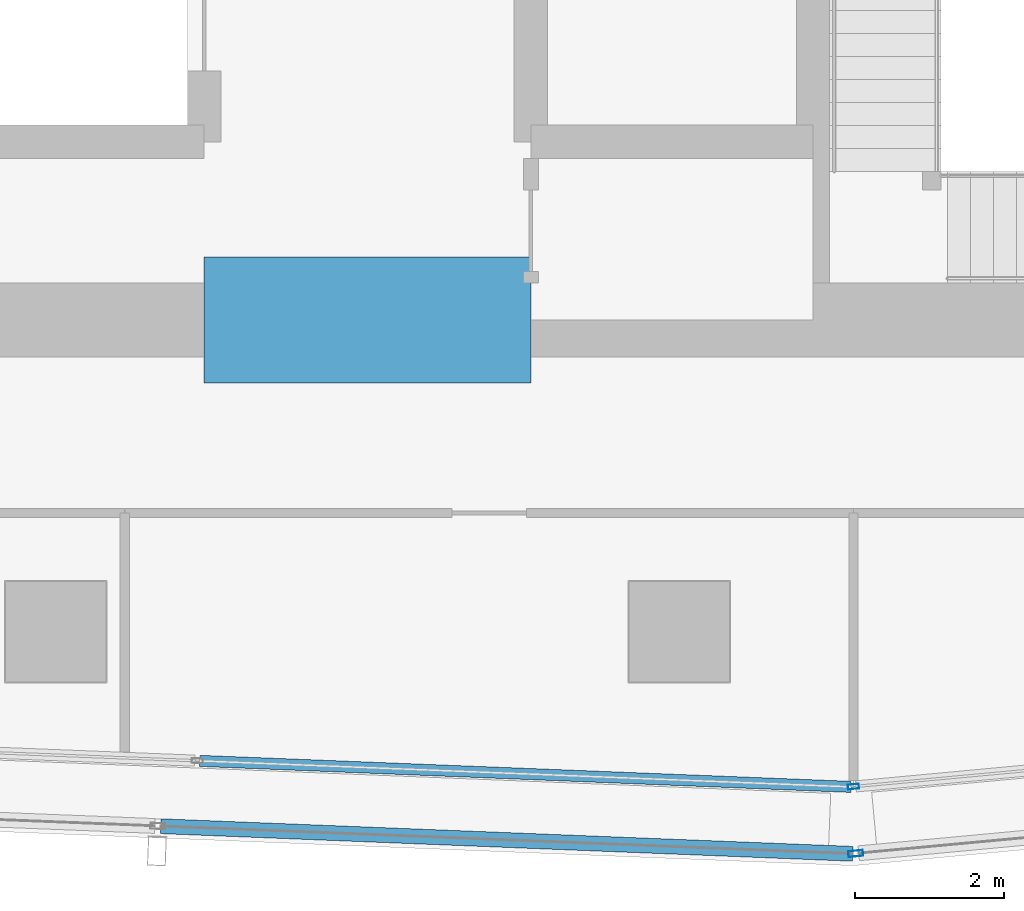
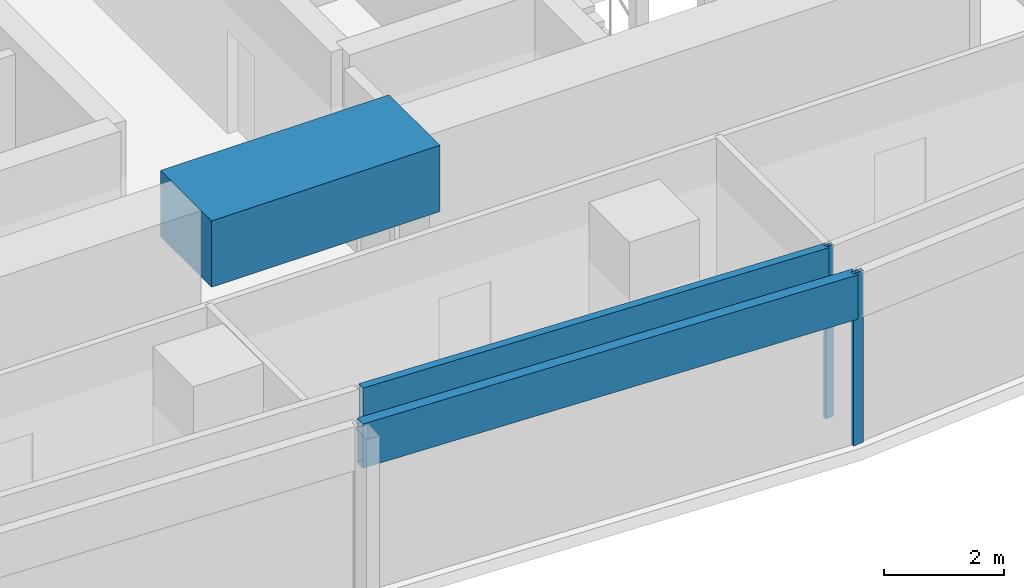
# One storey, part 10 of 38: 4 members, 1 beam, 4 elements without a shape of their own.
"""IFC4 building model written with IfcOpenShell, lengths in metres."""

import ifcopenshell
import ifcopenshell.guid

model = None  # the IFC model being written
_history = None  # IfcOwnerHistory: only IFC2X3 demands one
_inside = {}  # id of a spatial element -> (the spatial element, [elements in it])
_under = {}  # id of a project, library or spatial element -> (it, [spatial elements below it])
_declared = {}  # id of a project -> (the project, [libraries it declares])
_typed = {}  # id of a type object -> (the type object, [elements of that type])
_made_of = {}  # id of a material, layer set ... -> (it, [elements and type objects made of it])


def new_model(schema):
    """Start an empty IFC model of exactly this schema.

    Asked for "IFC4X3", IfcOpenShell would pick the latest addendum, in which some entities
    have other attributes; the version numbers below select the first issue.
    IFC2X3 requires an IfcOwnerHistory on every rooted entity: one is made here for all.
    """
    global model, _history
    if schema == "IFC4X3":
        model = ifcopenshell.file(schema_version=(4, 3, 0, 0))
    else:
        model = ifcopenshell.file(schema=schema)
    _inside.clear()
    _under.clear()
    _declared.clear()
    _typed.clear()
    _made_of.clear()
    _history = None
    if model.schema == "IFC2X3":
        org = make("IfcOrganization", Name="unknown")
        user = make(
            "IfcPersonAndOrganization",
            ThePerson=make("IfcPerson", FamilyName="unknown"),
            TheOrganization=org,
        )
        app = make(
            "IfcApplication",
            ApplicationDeveloper=org,
            Version="unknown",
            ApplicationFullName="unknown",
            ApplicationIdentifier="unknown",
        )
        _history = make(
            "IfcOwnerHistory",
            OwningUser=user,
            OwningApplication=app,
            ChangeAction="ADDED",
            CreationDate=0,
        )
    return model


def make(cls, **values):
    """One entity of the class cls with the attributes given. An attribute that is None is left unset."""
    return model.create_entity(
        cls, **{name: value for name, value in values.items() if value is not None}
    )


def rooted(cls, **values):
    """An entity with a GlobalId (a new one), such as an element, a storey or a relation."""
    return make(cls, GlobalId=ifcopenshell.guid.new(), OwnerHistory=_history, **values)


def si_unit(unit_type, name, prefix=None):
    """IfcSIUnit, for example si_unit("LENGTHUNIT", "METRE", prefix="MILLI")."""
    return make("IfcSIUnit", UnitType=unit_type, Prefix=prefix, Name=name)


def assignment(units):
    """IfcUnitAssignment: the units of a project."""
    return None if units is None else make("IfcUnitAssignment", Units=units)


def point(xyz):
    """IfcCartesianPoint."""
    return None if xyz is None else make("IfcCartesianPoint", Coordinates=xyz)


def direction(xyz):
    """IfcDirection."""
    return None if xyz is None else make("IfcDirection", DirectionRatios=xyz)


def frame(location, z_axis=None, x_axis=None):
    """IfcAxis2Placement3D, a coordinate frame: its origin and axes. An axis left out is left unset."""
    return make(
        "IfcAxis2Placement3D",
        Location=point(location),
        Axis=direction(z_axis),
        RefDirection=direction(x_axis),
    )


def frame_2d(location, x_axis=None):
    """IfcAxis2Placement2D, a coordinate frame in the plane: its origin and x axis."""
    return make(
        "IfcAxis2Placement2D", Location=point(location), RefDirection=direction(x_axis)
    )


def origin():
    """The frame at (0, 0, 0) with its axes left unset."""
    return frame((0.0, 0.0, 0.0))


def origin_2d():
    """The frame at (0, 0) in the plane with its x axis left unset."""
    return frame_2d((0.0, 0.0))


def place(relative_to, where):
    """IfcLocalPlacement: puts the frame where relative to a parent placement (None: the world)."""
    return make(
        "IfcLocalPlacement", PlacementRelTo=relative_to, RelativePlacement=where
    )


def context(
    kind, dimensions, precision=None, world=None, true_north=None, identifier=None
):
    """IfcGeometricRepresentationContext, for example the 3D "Model" context."""
    return make(
        "IfcGeometricRepresentationContext",
        ContextIdentifier=identifier,
        ContextType=kind,
        CoordinateSpaceDimension=dimensions,
        Precision=precision,
        WorldCoordinateSystem=world,
        TrueNorth=true_north,
    )


def subcontext(parent, identifier, kind, view, scale=None):
    """IfcGeometricRepresentationSubContext, for example "Body" below "Model"."""
    return make(
        "IfcGeometricRepresentationSubContext",
        ContextIdentifier=identifier,
        ContextType=kind,
        ParentContext=parent,
        TargetScale=scale,
        TargetView=view,
    )


def project(units=None, contexts=None):
    """IfcProject with its units and contexts."""
    return rooted(
        "IfcProject",
        Name="project",
        RepresentationContexts=contexts,
        UnitsInContext=assignment(units),
    )


def spatial(cls, under=None, at=None, **own):
    """A site, building, storey or space (cls), placed at a placement, below another one or the project."""
    s = rooted(cls, ObjectPlacement=at, **own)
    if under is not None:
        _under.setdefault(under.id(), (under, []))[1].append(s)
    return s


def profile(cls, at=None, kind="AREA", **sizes):
    """A parametric profile (cls). Its sizes go by their IFC names, for example OverallWidth=200.0."""
    return make(cls, ProfileType=kind, Position=at, **sizes)


def rectangle(**sizes):
    """IfcRectangleProfileDef."""
    return profile("IfcRectangleProfileDef", **sizes)


def hollow_rectangle(**sizes):
    """IfcRectangleHollowProfileDef."""
    return profile("IfcRectangleHollowProfileDef", **sizes)


def extrude(swept, where, along, depth):
    """IfcExtrudedAreaSolid: the profile swept, set in the frame where, extruded along a direction by depth."""
    return make(
        "IfcExtrudedAreaSolid",
        SweptArea=swept,
        Position=where,
        ExtrudedDirection=direction(along),
        Depth=depth,
    )


def shape(context_of_items, identifier, shape_type, items):
    """IfcShapeRepresentation: the items that make up one representation, for example the "Body"."""
    return make(
        "IfcShapeRepresentation",
        ContextOfItems=context_of_items,
        RepresentationIdentifier=identifier,
        RepresentationType=shape_type,
        Items=items,
    )


def material(Name=None, Category=None):
    """IfcMaterial."""
    return make("IfcMaterial", Name=Name, Category=Category)


def material_profile(
    of_material, cross_section, Name=None, Category=None, Priority=None
):
    """IfcMaterialProfile: a cross section and its material."""
    return make(
        "IfcMaterialProfile",
        Name=Name,
        Material=of_material,
        Profile=cross_section,
        Priority=Priority,
        Category=Category,
    )


def profile_set(profiles, Name=None, composite=None):
    """IfcMaterialProfileSet."""
    return make(
        "IfcMaterialProfileSet",
        Name=Name,
        MaterialProfiles=profiles,
        CompositeProfile=composite,
    )


def made_of(thing, what):
    """Note that an element or type object is made of a material, layer set ...; save() writes the relation."""
    if what is not None:
        _made_of.setdefault(what.id(), (what, []))[1].append(thing)
    return thing


def type_object(cls, material=None, **own):
    """A type object (cls), such as IfcWallType, which elements share."""
    return made_of(rooted(cls, **own), material)


def element(
    cls,
    number,
    at=None,
    inside=None,
    cuts=None,
    type_object=None,
    material=None,
    context=None,
    identifier="Body",
    shape_type=None,
    held_by="IfcProductDefinitionShape",
    body=None,
    shapes=None,
    **own,
):
    """One element of the class cls, such as IfcWall. Its Tag is "e" and its number.

    at: its placement. inside: the storey or other place that contains it. cuts: it is an
    opening in that element (IfcRelVoidsElement). A single representation is given by context,
    identifier, shape_type and body (its items); several are given by shapes. held_by: the class
    of the entity that holds the representations. save() writes the other relations.
    """
    e = rooted(cls, Tag="e%d" % number, ObjectPlacement=at, **own)
    if body is not None:
        shapes = [shape(context, identifier, shape_type, body)]
    if shapes is not None:
        e.Representation = make(held_by, Representations=shapes)
    if inside is not None:
        _inside.setdefault(inside.id(), (inside, []))[1].append(e)
    if cuts is not None:
        rooted(
            "IfcRelVoidsElement", RelatingBuildingElement=cuts, RelatedOpeningElement=e
        )
    if type_object is not None:
        _typed.setdefault(type_object.id(), (type_object, []))[1].append(e)
    return made_of(e, material)


def aggregate(whole, parts):
    """IfcRelAggregates: a whole, such as a stair, and the parts it consists of."""
    return rooted("IfcRelAggregates", RelatingObject=whole, RelatedObjects=parts)


def save(model, path):
    """Write the relations noted so far, then the file.

    IfcRelAggregates (storeys below a building ...), IfcRelContainedInSpatialStructure (elements
    in a storey), IfcRelDefinesByType, IfcRelAssociatesMaterial and IfcRelDeclares: one each for
    every whole, place, type object, material and project.
    """
    for whole, parts in _under.values():
        aggregate(whole, parts)
    for where, things in _inside.values():
        rooted(
            "IfcRelContainedInSpatialStructure",
            RelatedElements=things,
            RelatingStructure=where,
        )
    for kind, things in _typed.values():
        rooted("IfcRelDefinesByType", RelatedObjects=things, RelatingType=kind)
    for what, things in _made_of.values():
        rooted("IfcRelAssociatesMaterial", RelatedObjects=things, RelatingMaterial=what)
    for by, libraries in _declared.values():
        rooted("IfcRelDeclares", RelatingContext=by, RelatedDefinitions=libraries)
    model.write(path)


model = new_model("IFC4")

# Units and contexts
model_context = context("Model", 3, precision=1e-05, world=origin(), true_north=direction((0.0, 1.0)))
body_context = subcontext(model_context, "Body", "Model", "MODEL_VIEW")
ifc_project = project(units=[si_unit("LENGTHUNIT", "METRE"), si_unit("AREAUNIT", "SQUARE_METRE"), si_unit("VOLUMEUNIT", "CUBIC_METRE"), si_unit("PLANEANGLEUNIT", "RADIAN"), si_unit("MASSUNIT", "GRAM", prefix="KILO")], contexts=[model_context])

# Site, building, storey
site_placement = place(None, origin())
site = spatial("IfcSite", under=ifc_project, at=site_placement, CompositionType="ELEMENT")
building_placement = place(site_placement, origin())
building = spatial("IfcBuilding", under=site, at=building_placement, Name="Rekha Terrace Tower", CompositionType="ELEMENT")
storey_placement = place(building_placement, frame((0.0, 0.0, 195.199951171875)))
storey = spatial("IfcBuildingStorey", under=building, at=storey_placement, Name="L49", CompositionType="ELEMENT", Elevation=195.199951171875)

# Curtain wall, member
ifc_material_1 = material(Name="Aluminium framing", Category="aluminium")
curtain_wall_type_1 = type_object("IfcCurtainWallType", Name="CW1 double skin inner glazing", PredefinedType="USERDEFINED", material=ifc_material_1)
curtain_wall_1_placement = place(storey_placement, origin())
curtain_wall_1 = element("IfcCurtainWall", 1, at=curtain_wall_1_placement, inside=storey, type_object=curtain_wall_type_1, Name="CW1 double skin inner glazing", ObjectType="DOUBLE SKIN INNER GLAZING", PredefinedType="USERDEFINED")
ifc_material_2 = material(Name="Aluminium mullion section", Category="aluminium")
ifc_material_profile_1 = material_profile(ifc_material_2, hollow_rectangle(XDim=0.06494140625, YDim=0.14990234375, WallThickness=0.00390625, at=origin_2d()), Name="AL RHS 65x150")
ifc_profile_set_1 = profile_set([ifc_material_profile_1], Name="Aluminium mullion section")
member_type_1 = type_object("IfcMemberType", Name="CW1 mullion RHS 65 x 150", PredefinedType="MULLION", material=ifc_profile_set_1)
member_1_placement = place(storey_placement, frame((44.34423828125, 14.715087890625, 0.0), z_axis=(0.0, 0.0, 1.0), x_axis=(-0.092708869564, 0.995693258742, 0.0)))
member_1 = element("IfcMember", 2, at=member_1_placement, type_object=member_type_1, Name="CW1 mullion 1", PredefinedType="MULLION", context=body_context, shape_type="SweptSolid", body=[
    extrude(hollow_rectangle(XDim=0.06494140625, YDim=0.14990234375, WallThickness=0.00390625, at=origin_2d()), origin(), (0.0, 0.0, 1.0), 3.5),
])
aggregate(curtain_wall_1, [member_1])

curtain_wall_2_placement = place(storey_placement, origin())
curtain_wall_2 = element("IfcCurtainWall", 3, at=curtain_wall_2_placement, inside=storey, type_object=curtain_wall_type_1, Name="CW1 double skin inner glazing", ObjectType="DOUBLE SKIN INNER GLAZING", PredefinedType="USERDEFINED")
ifc_material_3 = material(Name="Insulated aluminium spandrel box", Category="aluminium")
ifc_material_profile_2 = material_profile(ifc_material_3, hollow_rectangle(XDim=0.14990234375, YDim=0.89990234375, WallThickness=0.0029296875, at=origin_2d()), Name="AL SPANDREL BOX 150x900")
ifc_profile_set_2 = profile_set([ifc_material_profile_2], Name="Insulated aluminium spandrel box")
member_type_2 = type_object("IfcMemberType", Name="CW1 spandrel transom 150 x 900", PredefinedType="USERDEFINED", material=ifc_profile_set_2)
member_2_placement = place(storey_placement, frame((35.5400390625, 15.06201171875, 3.050048828125), z_axis=(0.999204464505, -0.039880297311, 0.0), x_axis=(0.039880297311, 0.999204464505, 0.0)))
member_2 = element("IfcMember", 4, at=member_2_placement, type_object=member_type_2, Name="CW1 spandrel transom 4", ObjectType="TRANSOM", PredefinedType="USERDEFINED", context=body_context, shape_type="SweptSolid", body=[
    extrude(hollow_rectangle(XDim=0.14990234375, YDim=0.89990234375, WallThickness=0.0029296875, at=origin_2d()), origin(), (0.0, 0.0, 1.0), 8.77880859375),
])
aggregate(curtain_wall_2, [member_2])

curtain_wall_type_2 = type_object("IfcCurtainWallType", Name="CW2 double skin outer glazing", PredefinedType="USERDEFINED", material=ifc_material_1)
curtain_wall_3_placement = place(storey_placement, origin())
curtain_wall_3 = element("IfcCurtainWall", 5, at=curtain_wall_3_placement, inside=storey, type_object=curtain_wall_type_2, Name="CW2 double skin outer glazing", ObjectType="DOUBLE SKIN OUTER GLAZING", PredefinedType="USERDEFINED")
ifc_material_profile_3 = material_profile(ifc_material_2, hollow_rectangle(XDim=0.080078125, YDim=0.199951171875, WallThickness=0.00390625, at=origin_2d()), Name="AL RHS 80x200")
ifc_profile_set_3 = profile_set([ifc_material_profile_3], Name="Aluminium mullion section")
member_type_3 = type_object("IfcMemberType", Name="CW2 mullion RHS 80 x 200", PredefinedType="MULLION", material=ifc_profile_set_3)
member_3_placement = place(storey_placement, frame((44.37548828125, 13.81396484375, 0.0), z_axis=(0.0, 0.0, 1.0), x_axis=(-0.092708869512, 0.995693258747, 0.0)))
member_3 = element("IfcMember", 6, at=member_3_placement, type_object=member_type_3, Name="CW2 mullion 1", PredefinedType="MULLION", context=body_context, shape_type="SweptSolid", body=[
    extrude(hollow_rectangle(XDim=0.080078125, YDim=0.199951171875, WallThickness=0.00390625, at=origin_2d()), origin(), (0.0, 0.0, 1.0), 3.5),
])
aggregate(curtain_wall_3, [member_3])

curtain_wall_4_placement = place(storey_placement, origin())
curtain_wall_4 = element("IfcCurtainWall", 7, at=curtain_wall_4_placement, inside=storey, type_object=curtain_wall_type_2, Name="CW2 double skin outer glazing", ObjectType="DOUBLE SKIN OUTER GLAZING", PredefinedType="USERDEFINED")
ifc_material_profile_4 = material_profile(ifc_material_3, hollow_rectangle(XDim=0.199951171875, YDim=0.89990234375, WallThickness=0.0029296875, at=origin_2d()), Name="AL SPANDREL BOX 200x900")
ifc_profile_set_4 = profile_set([ifc_material_profile_4], Name="Insulated aluminium spandrel box")
member_type_4 = type_object("IfcMemberType", Name="CW2 spandrel transom 200 x 900", PredefinedType="USERDEFINED", material=ifc_profile_set_4)
member_4_placement = place(storey_placement, frame((35.01708984375, 14.18212890625, 3.050048828125), z_axis=(0.999204884837, -0.039869764458, 0.0), x_axis=(0.039869764458, 0.999204884837, 0.0)))
member_4 = element("IfcMember", 8, at=member_4_placement, type_object=member_type_4, Name="CW2 spandrel transom 4", ObjectType="TRANSOM", PredefinedType="USERDEFINED", context=body_context, shape_type="SweptSolid", body=[
    extrude(hollow_rectangle(XDim=0.199951171875, YDim=0.89990234375, WallThickness=0.0029296875, at=origin_2d()), origin(), (0.0, 0.0, 1.0), 9.325927734375),
])
aggregate(curtain_wall_4, [member_4])

# Beam
ifc_material_4 = material(Name="Concrete M60", Category="concrete")
ifc_material_profile_5 = material_profile(ifc_material_4, rectangle(XDim=1.699951171875, YDim=1.35009765625, at=origin_2d()), Name="RC 1700x1350")
ifc_profile_set_5 = profile_set([ifc_material_profile_5], Name="Concrete M60")
beam_type = type_object("IfcBeamType", Name="LB3A 1700x1350 diagonally reinforced coupling beam", PredefinedType="LINTEL", material=ifc_profile_set_5)
beam_placement = place(storey_placement, frame((35.60009765625, 21.0, 3.074951171875), z_axis=(1.0, 0.0, 0.0), x_axis=(0.0, 1.0, 0.0)))
element("IfcBeam", 9, at=beam_placement, inside=storey, type_object=beam_type, Name="Coupling beam LB3A S L49", PredefinedType="LINTEL", context=body_context, shape_type="SweptSolid", body=[
    extrude(rectangle(XDim=1.699951171875, YDim=1.35009765625, at=origin_2d()), origin(), (0.0, 0.0, 1.0), 4.39990234375),
])

save(model, "model.ifc")
